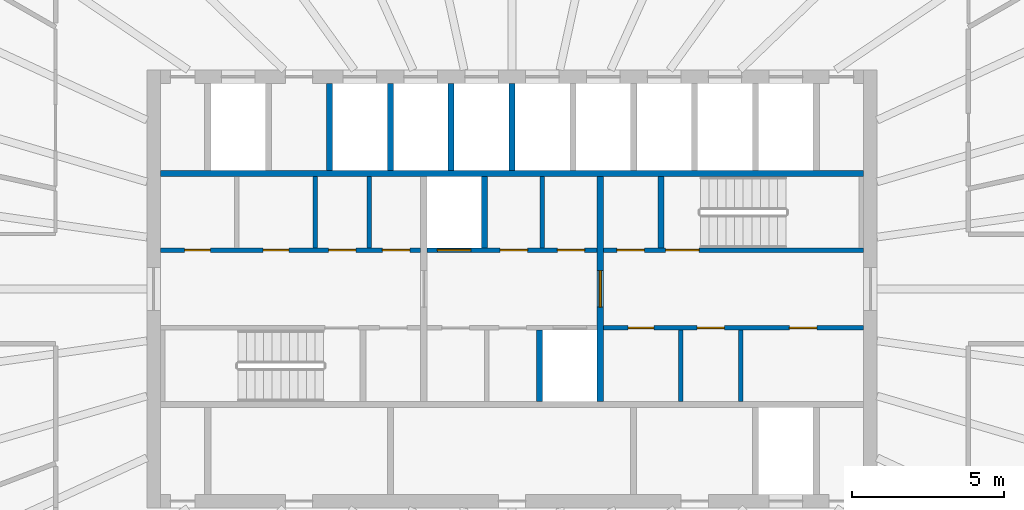
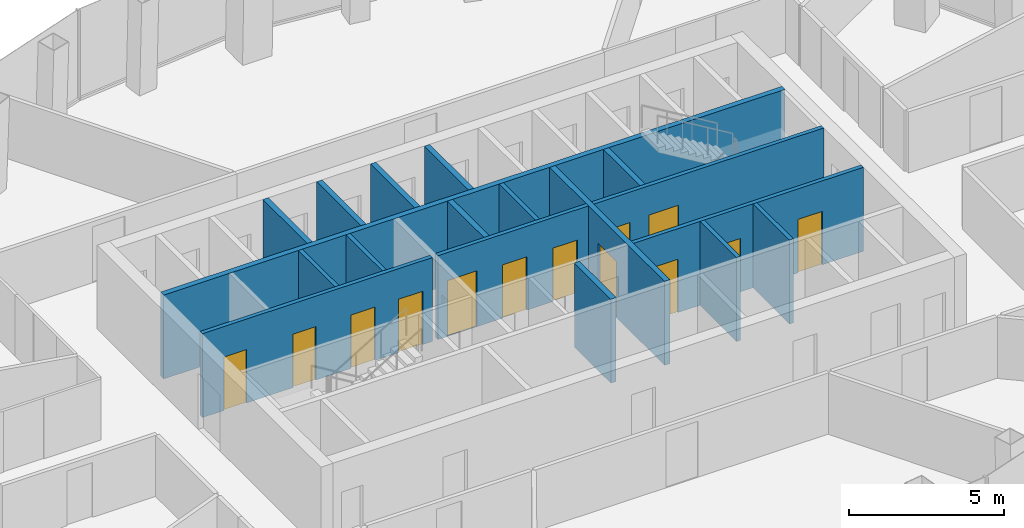
# One storey, part 10 of 13: 18 walls, 13 doors, 13 openings.
"""IFC4 building model written with IfcOpenShell, lengths in metres."""

from ifc_helpers import new_model, si_unit, direction, frame, frame_2d, origin, place, context, subcontext, project, spatial, rectangle, extrude, material, layer, layer_set, type_object, element, fill, save


model = new_model("IFC4")

# Units and contexts
model_context = context("Model", 3, precision=1e-05, world=origin(), true_north=direction((0.0, 1.0)))
body_context = subcontext(model_context, "Body", "Model", "MODEL_VIEW")
ifc_project = project(units=[si_unit("LENGTHUNIT", "METRE"), si_unit("AREAUNIT", "SQUARE_METRE"), si_unit("VOLUMEUNIT", "CUBIC_METRE"), si_unit("PLANEANGLEUNIT", "RADIAN"), si_unit("MASSUNIT", "GRAM", prefix="KILO")], contexts=[model_context])

# Site, building, storey
site_placement = place(None, origin())
site = spatial("IfcSite", under=ifc_project, at=site_placement, CompositionType="ELEMENT")
building_placement = place(site_placement, origin())
building = spatial("IfcBuilding", under=site, at=building_placement, Name="Siaravel Broadcast Tower", CompositionType="ELEMENT")
storey_placement = place(building_placement, frame((0.0, 0.0, 171.89990234375)))
storey = spatial("IfcBuildingStorey", under=building, at=storey_placement, Name="L41", CompositionType="ELEMENT", Elevation=171.89990234375)

# Walls
ifc_material_1 = material(Name="Concrete blockwork", Category="masonry")
ifc_layer_1 = layer(ifc_material_1, 0.14990234375)
ifc_layer_set_1 = layer_set([ifc_layer_1], Name="Concrete blockwork")
wall_type_1 = type_object("IfcWallType", Name="Core partition 150", PredefinedType="PARTITIONING", material=ifc_layer_set_1)
for number, where, z_axis, x_axis, name in (
    (1, (-6.465087890625, 1.35009765625, 0.0), (0.0, 0.0, 1.0), (0.0, 1.0, 0.0), "L41 core partition PNW1"),
    (2, (-4.695068359375, 1.35009765625, 0.0), (0.0, 0.0, 1.0), (0.0, 1.0, 0.0), "L41 core partition PNW2"),
    (3, (5.550048828125, -3.699951171875, 0.0), (0.0, 0.0, 1.0), (0.0, 1.0, 0.0), "L41 core partition PSE0"),
    (4, (7.514892578125, -3.699951171875, 0.0), (0.0, 0.0, 1.0), (0.0, 1.0, 0.0), "L41 core partition PSE1"),
    (5, (1.0, 1.35009765625, 0.0), (0.0, 0.0, 1.0), (0.0, 1.0, 0.0), "L41 core partition PNM0"),
):
    element("IfcWall", number, at=place(storey_placement, frame(where, z_axis=z_axis, x_axis=x_axis)), inside=storey, type_object=wall_type_1, Name=name, PredefinedType="PARTITIONING", context=body_context, shape_type="SweptSolid", body=[
        extrude(rectangle(XDim=2.349853515625, YDim=0.14990234375, at=frame_2d((1.1748046875, 0.0))), origin(), (0.0, 0.0, 1.0), 3.300048828125),
    ])

# Wall, openings, doors
ifc_material_2 = material(Name="Gypsum board partition", Category="gypsum")
ifc_layer_2 = layer(ifc_material_2, 0.14990234375)
ifc_layer_set_2 = layer_set([ifc_layer_2], Name="Gypsum board partition")
wall_type_2 = type_object("IfcWallType", Name="Corridor wall 150", PredefinedType="PARTITIONING", material=ifc_layer_set_2)
wall_1_placement = place(storey_placement, frame((3.0, -1.27490234375, 0.0), z_axis=(0.0, 0.0, 1.0), x_axis=(1.0, 0.0, 0.0)))
wall_1 = element("IfcWall", 6, at=wall_1_placement, inside=storey, type_object=wall_type_2, Name="L41 core partition CSE", PredefinedType="PARTITIONING", context=body_context, shape_type="SweptSolid", body=[
    extrude(rectangle(XDim=8.550048828125, YDim=0.14990234375, at=frame_2d((4.27490234375, 0.0))), origin(), (0.0, 0.0, 1.0), 3.300048828125),
])
opening_1_placement = place(wall_1_placement, frame((0.8125, 0.0, 0.0)))
opening_1 = element("IfcOpeningElement", 7, at=opening_1_placement, cuts=wall_1, Name="Opening L41-DSE0", PredefinedType="OPENING", context=body_context, shape_type="SweptSolid", body=[
    extrude(rectangle(XDim=0.85009765625, YDim=2.10009765625, at=frame_2d((0.425048828125, 1.050048828125))), frame((0.0, 0.0849609375, 0.0), z_axis=(0.0, -1.0, 0.0), x_axis=(1.0, 0.0, 0.0)), (0.0, 0.0, 1.0), 0.169921875),
])
opening_2_placement = place(wall_1_placement, frame((3.08251953125, 0.0, 0.0)))
opening_2 = element("IfcOpeningElement", 8, at=opening_2_placement, cuts=wall_1, Name="Opening L41-DSE1", PredefinedType="OPENING", context=body_context, shape_type="SweptSolid", body=[
    extrude(rectangle(XDim=0.89990234375, YDim=2.10009765625, at=frame_2d((0.449951171875, 1.050048828125))), frame((0.0, 0.0849609375, 0.0), z_axis=(0.0, -1.0, 0.0), x_axis=(1.0, 0.0, 0.0)), (0.0, 0.0, 1.0), 0.169921875),
])
opening_3_placement = place(wall_1_placement, frame((6.1201171875, 0.0, 0.0)))
opening_3 = element("IfcOpeningElement", 9, at=opening_3_placement, cuts=wall_1, Name="Opening L41-DSE2", PredefinedType="OPENING", context=body_context, shape_type="SweptSolid", body=[
    extrude(rectangle(XDim=0.89990234375, YDim=2.10009765625, at=frame_2d((0.449951171875, 1.050048828125))), frame((0.0, 0.0849609375, 0.0), z_axis=(0.0, -1.0, 0.0), x_axis=(1.0, 0.0, 0.0)), (0.0, 0.0, 1.0), 0.169921875),
])
ifc_material_3 = material(Name="Timber veneer", Category="wood")
door_type_1 = type_object("IfcDoorType", Name="Core room door 900", OperationType="SINGLE_SWING_LEFT", PredefinedType="DOOR", material=ifc_material_3)
door_1_placement = place(opening_2_placement, origin())
door_1 = element("IfcDoor", 10, at=door_1_placement, inside=storey, type_object=door_type_1, Name="L41 door DSE1", OperationType="SINGLE_SWING_LEFT", OverallHeight=2.10009765625, OverallWidth=0.89990234375, PredefinedType="DOOR", context=body_context, shape_type="SweptSolid", body=[
    extrude(rectangle(XDim=0.89990234375, YDim=2.10009765625, at=frame_2d((0.449951171875, 1.050048828125))), frame((0.0, 0.02490234375, 0.0), z_axis=(0.0, -1.0, 0.0), x_axis=(1.0, 0.0, 0.0)), (0.0, 0.0, 1.0), 0.050048828125),
])
fill(opening_2, door_1)
door_2_placement = place(opening_3_placement, origin())
door_2 = element("IfcDoor", 11, at=door_2_placement, inside=storey, type_object=door_type_1, Name="L41 door DSE2", OperationType="SINGLE_SWING_LEFT", OverallHeight=2.10009765625, OverallWidth=0.89990234375, PredefinedType="DOOR", context=body_context, shape_type="SweptSolid", body=[
    extrude(rectangle(XDim=0.89990234375, YDim=2.10009765625, at=frame_2d((0.449951171875, 1.050048828125))), frame((0.0, 0.02490234375, 0.0), z_axis=(0.0, -1.0, 0.0), x_axis=(1.0, 0.0, 0.0)), (0.0, 0.0, 1.0), 0.050048828125),
])
fill(opening_3, door_2)
door_type_2 = type_object("IfcDoorType", Name="Core toilet door 850", OperationType="SINGLE_SWING_LEFT", PredefinedType="DOOR", material=ifc_material_3)
door_3_placement = place(opening_1_placement, origin())
door_3 = element("IfcDoor", 12, at=door_3_placement, inside=storey, type_object=door_type_2, Name="L41 door DSE0", OperationType="SINGLE_SWING_LEFT", OverallHeight=2.10009765625, OverallWidth=0.85009765625, PredefinedType="DOOR", context=body_context, shape_type="SweptSolid", body=[
    extrude(rectangle(XDim=0.85009765625, YDim=2.10009765625, at=frame_2d((0.425048828125, 1.050048828125))), frame((0.0, 0.02490234375, 0.0), z_axis=(0.0, -1.0, 0.0), x_axis=(1.0, 0.0, 0.0)), (0.0, 0.0, 1.0), 0.050048828125),
])
fill(opening_1, door_3)

wall_2_placement = place(storey_placement, frame((-11.550048828125, 1.27490234375, 0.0), z_axis=(0.0, 0.0, 1.0), x_axis=(1.0, 0.0, 0.0)))
wall_2 = element("IfcWall", 13, at=wall_2_placement, inside=storey, type_object=wall_type_2, Name="L41 core partition CNW", PredefinedType="PARTITIONING", context=body_context, shape_type="SweptSolid", body=[
    extrude(rectangle(XDim=8.550048828125, YDim=0.14990234375, at=frame_2d((4.27490234375, 0.0))), origin(), (0.0, 0.0, 1.0), 3.300048828125),
])
opening_4_placement = place(wall_2_placement, frame((0.7900390625, 0.0, 0.0)))
opening_4 = element("IfcOpeningElement", 14, at=opening_4_placement, cuts=wall_2, Name="Opening L41-DNW0", PredefinedType="OPENING", context=body_context, shape_type="SweptSolid", body=[
    extrude(rectangle(XDim=0.85009765625, YDim=2.10009765625, at=frame_2d((0.425048828125, 1.050048828125))), frame((0.0, 0.0849609375, 0.0), z_axis=(0.0, -1.0, 0.0), x_axis=(1.0, 0.0, 0.0)), (0.0, 0.0, 1.0), 0.169921875),
])
opening_5_placement = place(wall_2_placement, frame((3.3701171875, 0.0, 0.0)))
opening_5 = element("IfcOpeningElement", 15, at=opening_5_placement, cuts=wall_2, Name="Opening L41-DNW1", PredefinedType="OPENING", context=body_context, shape_type="SweptSolid", body=[
    extrude(rectangle(XDim=0.85009765625, YDim=2.10009765625, at=frame_2d((0.425048828125, 1.050048828125))), frame((0.0, 0.0849609375, 0.0), z_axis=(0.0, -1.0, 0.0), x_axis=(1.0, 0.0, 0.0)), (0.0, 0.0, 1.0), 0.169921875),
])
opening_6_placement = place(wall_2_placement, frame((5.52001953125, 0.0, 0.0)))
opening_6 = element("IfcOpeningElement", 16, at=opening_6_placement, cuts=wall_2, Name="Opening L41-DNW2", PredefinedType="OPENING", context=body_context, shape_type="SweptSolid", body=[
    extrude(rectangle(XDim=0.89990234375, YDim=2.10009765625, at=frame_2d((0.449951171875, 1.050048828125))), frame((0.0, 0.0849609375, 0.0), z_axis=(0.0, -1.0, 0.0), x_axis=(1.0, 0.0, 0.0)), (0.0, 0.0, 1.0), 0.169921875),
])
opening_7_placement = place(wall_2_placement, frame((7.2900390625, 0.0, 0.0)))
opening_7 = element("IfcOpeningElement", 17, at=opening_7_placement, cuts=wall_2, Name="Opening L41-DNW3", PredefinedType="OPENING", context=body_context, shape_type="SweptSolid", body=[
    extrude(rectangle(XDim=0.89990234375, YDim=2.10009765625, at=frame_2d((0.449951171875, 1.050048828125))), frame((0.0, 0.0849609375, 0.0), z_axis=(0.0, -1.0, 0.0), x_axis=(1.0, 0.0, 0.0)), (0.0, 0.0, 1.0), 0.169921875),
])
door_4_placement = place(opening_6_placement, origin())
door_4 = element("IfcDoor", 18, at=door_4_placement, inside=storey, type_object=door_type_1, Name="L41 door DNW2", OperationType="SINGLE_SWING_LEFT", OverallHeight=2.10009765625, OverallWidth=0.89990234375, PredefinedType="DOOR", context=body_context, shape_type="SweptSolid", body=[
    extrude(rectangle(XDim=0.89990234375, YDim=2.10009765625, at=frame_2d((0.449951171875, 1.050048828125))), frame((0.0, 0.02490234375, 0.0), z_axis=(0.0, -1.0, 0.0), x_axis=(1.0, 0.0, 0.0)), (0.0, 0.0, 1.0), 0.050048828125),
])
fill(opening_6, door_4)
door_5_placement = place(opening_7_placement, origin())
door_5 = element("IfcDoor", 19, at=door_5_placement, inside=storey, type_object=door_type_1, Name="L41 door DNW3", OperationType="SINGLE_SWING_LEFT", OverallHeight=2.10009765625, OverallWidth=0.89990234375, PredefinedType="DOOR", context=body_context, shape_type="SweptSolid", body=[
    extrude(rectangle(XDim=0.89990234375, YDim=2.10009765625, at=frame_2d((0.449951171875, 1.050048828125))), frame((0.0, 0.02490234375, 0.0), z_axis=(0.0, -1.0, 0.0), x_axis=(1.0, 0.0, 0.0)), (0.0, 0.0, 1.0), 0.050048828125),
])
fill(opening_7, door_5)
door_6_placement = place(opening_4_placement, origin())
door_6 = element("IfcDoor", 20, at=door_6_placement, inside=storey, type_object=door_type_2, Name="L41 door DNW0", OperationType="SINGLE_SWING_LEFT", OverallHeight=2.10009765625, OverallWidth=0.85009765625, PredefinedType="DOOR", context=body_context, shape_type="SweptSolid", body=[
    extrude(rectangle(XDim=0.85009765625, YDim=2.10009765625, at=frame_2d((0.425048828125, 1.050048828125))), frame((0.0, 0.02490234375, 0.0), z_axis=(0.0, -1.0, 0.0), x_axis=(1.0, 0.0, 0.0)), (0.0, 0.0, 1.0), 0.050048828125),
])
fill(opening_4, door_6)
door_7_placement = place(opening_5_placement, origin())
door_7 = element("IfcDoor", 21, at=door_7_placement, inside=storey, type_object=door_type_2, Name="L41 door DNW1", OperationType="SINGLE_SWING_LEFT", OverallHeight=2.10009765625, OverallWidth=0.85009765625, PredefinedType="DOOR", context=body_context, shape_type="SweptSolid", body=[
    extrude(rectangle(XDim=0.85009765625, YDim=2.10009765625, at=frame_2d((0.425048828125, 1.050048828125))), frame((0.0, 0.02490234375, 0.0), z_axis=(0.0, -1.0, 0.0), x_axis=(1.0, 0.0, 0.0)), (0.0, 0.0, 1.0), 0.050048828125),
])
fill(opening_5, door_7)

ifc_material_4 = material(Name="Concrete C60/75", Category="concrete")
ifc_layer_3 = layer(ifc_material_4, 0.14990234375)
ifc_layer_set_3 = layer_set([ifc_layer_3], Name="Concrete C60/75")
wall_type_3 = type_object("IfcWallType", Name="Shaft wall 150", PredefinedType="SHEAR", material=ifc_layer_set_3)
wall_3_placement = place(storey_placement, frame((-2.800048828125, 1.27490234375, 0.0), z_axis=(0.0, 0.0, 1.0), x_axis=(1.0, 0.0, 0.0)))
wall_3 = element("IfcWall", 22, at=wall_3_placement, inside=storey, type_object=wall_type_3, Name="L41 core wall CNM", PredefinedType="SHEAR", context=body_context, shape_type="SweptSolid", body=[
    extrude(rectangle(XDim=5.60009765625, YDim=0.14990234375, at=frame_2d((2.800048828125, 0.0))), origin(), (0.0, 0.0, 1.0), 3.300048828125),
])
opening_8_placement = place(wall_3_placement, frame((0.35009765625, 0.0, 0.0)))
opening_8 = element("IfcOpeningElement", 23, at=opening_8_placement, cuts=wall_3, Name="Opening LD-FL1-L41", PredefinedType="OPENING", context=body_context, shape_type="SweptSolid", body=[
    extrude(rectangle(XDim=1.10009765625, YDim=2.199951171875, at=frame_2d((0.550048828125, 1.10009765625))), frame((0.0, 0.0849609375, 0.0), z_axis=(0.0, -1.0, 0.0), x_axis=(1.0, 0.0, 0.0)), (0.0, 0.0, 1.0), 0.169921875),
])
opening_9_placement = place(wall_3_placement, frame((2.41259765625, 0.0, 0.0)))
opening_9 = element("IfcOpeningElement", 24, at=opening_9_placement, cuts=wall_3, Name="Opening L41-DNM0", PredefinedType="OPENING", context=body_context, shape_type="SweptSolid", body=[
    extrude(rectangle(XDim=0.89990234375, YDim=2.10009765625, at=frame_2d((0.449951171875, 1.050048828125))), frame((0.0, 0.0849609375, 0.0), z_axis=(0.0, -1.0, 0.0), x_axis=(1.0, 0.0, 0.0)), (0.0, 0.0, 1.0), 0.169921875),
])
opening_10_placement = place(wall_3_placement, frame((4.28759765625, 0.0, 0.0)))
opening_10 = element("IfcOpeningElement", 25, at=opening_10_placement, cuts=wall_3, Name="Opening L41-DNM1", PredefinedType="OPENING", context=body_context, shape_type="SweptSolid", body=[
    extrude(rectangle(XDim=0.89990234375, YDim=2.10009765625, at=frame_2d((0.449951171875, 1.050048828125))), frame((0.0, 0.0849609375, 0.0), z_axis=(0.0, -1.0, 0.0), x_axis=(1.0, 0.0, 0.0)), (0.0, 0.0, 1.0), 0.169921875),
])
door_8_placement = place(opening_9_placement, origin())
door_8 = element("IfcDoor", 26, at=door_8_placement, inside=storey, type_object=door_type_1, Name="L41 door DNM0", OperationType="SINGLE_SWING_LEFT", OverallHeight=2.10009765625, OverallWidth=0.89990234375, PredefinedType="DOOR", context=body_context, shape_type="SweptSolid", body=[
    extrude(rectangle(XDim=0.89990234375, YDim=2.10009765625, at=frame_2d((0.449951171875, 1.050048828125))), frame((0.0, 0.02490234375, 0.0), z_axis=(0.0, -1.0, 0.0), x_axis=(1.0, 0.0, 0.0)), (0.0, 0.0, 1.0), 0.050048828125),
])
fill(opening_9, door_8)
door_9_placement = place(opening_10_placement, origin())
door_9 = element("IfcDoor", 27, at=door_9_placement, inside=storey, type_object=door_type_1, Name="L41 door DNM1", OperationType="SINGLE_SWING_LEFT", OverallHeight=2.10009765625, OverallWidth=0.89990234375, PredefinedType="DOOR", context=body_context, shape_type="SweptSolid", body=[
    extrude(rectangle(XDim=0.89990234375, YDim=2.10009765625, at=frame_2d((0.449951171875, 1.050048828125))), frame((0.0, 0.02490234375, 0.0), z_axis=(0.0, -1.0, 0.0), x_axis=(1.0, 0.0, 0.0)), (0.0, 0.0, 1.0), 0.050048828125),
])
fill(opening_10, door_9)
ifc_material_5 = material(Name="Stainless steel 316L", Category="steel")
door_type_3 = type_object("IfcDoorType", Name="Firefighting lift landing door 1100", OperationType="DOUBLE_DOOR_SLIDING", PredefinedType="DOOR", material=ifc_material_5)
door_10_placement = place(opening_8_placement, origin())
door_10 = element("IfcDoor", 28, at=door_10_placement, inside=storey, type_object=door_type_3, Name="Landing door FL1 L41", OperationType="DOUBLE_DOOR_SLIDING", OverallHeight=2.199951171875, OverallWidth=1.10009765625, PredefinedType="DOOR", context=body_context, shape_type="SweptSolid", body=[
    extrude(rectangle(XDim=1.10009765625, YDim=2.199951171875, at=frame_2d((0.550048828125, 1.10009765625))), frame((0.0, 0.02490234375, 0.0), z_axis=(0.0, -1.0, 0.0), x_axis=(1.0, 0.0, 0.0)), (0.0, 0.0, 1.0), 0.050048828125),
])
fill(opening_8, door_10)

wall_4_placement = place(storey_placement, frame((3.0, 1.27490234375, 0.0), z_axis=(0.0, 0.0, 1.0), x_axis=(1.0, 0.0, 0.0)))
wall_4 = element("IfcWall", 29, at=wall_4_placement, inside=storey, type_object=wall_type_3, Name="L41 core wall CNE", PredefinedType="SHEAR", context=body_context, shape_type="SweptSolid", body=[
    extrude(rectangle(XDim=8.550048828125, YDim=0.14990234375, at=frame_2d((4.27490234375, 0.0))), origin(), (0.0, 0.0, 1.0), 3.300048828125),
])
opening_11_placement = place(wall_4_placement, frame((2.050048828125, 0.0, 0.0)))
opening_11 = element("IfcOpeningElement", 30, at=opening_11_placement, cuts=wall_4, Name="Opening L41-DS-2", PredefinedType="OPENING", context=body_context, shape_type="SweptSolid", body=[
    extrude(rectangle(XDim=1.10009765625, YDim=2.14990234375, at=frame_2d((0.550048828125, 1.074951171875))), frame((0.0, 0.0849609375, 0.0), z_axis=(0.0, -1.0, 0.0), x_axis=(1.0, 0.0, 0.0)), (0.0, 0.0, 1.0), 0.169921875),
])
opening_12_placement = place(wall_4_placement, frame((0.449951171875, 0.0, 0.0)))
opening_12 = element("IfcOpeningElement", 31, at=opening_12_placement, cuts=wall_4, Name="Opening L41-DNE0", PredefinedType="OPENING", context=body_context, shape_type="SweptSolid", body=[
    extrude(rectangle(XDim=0.89990234375, YDim=2.10009765625, at=frame_2d((0.449951171875, 1.050048828125))), frame((0.0, 0.0849609375, 0.0), z_axis=(0.0, -1.0, 0.0), x_axis=(1.0, 0.0, 0.0)), (0.0, 0.0, 1.0), 0.169921875),
])
door_11_placement = place(opening_12_placement, origin())
door_11 = element("IfcDoor", 32, at=door_11_placement, inside=storey, type_object=door_type_1, Name="L41 door DNE0", OperationType="SINGLE_SWING_LEFT", OverallHeight=2.10009765625, OverallWidth=0.89990234375, PredefinedType="DOOR", context=body_context, shape_type="SweptSolid", body=[
    extrude(rectangle(XDim=0.89990234375, YDim=2.10009765625, at=frame_2d((0.449951171875, 1.050048828125))), frame((0.0, 0.02490234375, 0.0), z_axis=(0.0, -1.0, 0.0), x_axis=(1.0, 0.0, 0.0)), (0.0, 0.0, 1.0), 0.050048828125),
])
fill(opening_12, door_11)
ifc_material_6 = material(Name="Steel", Category="steel")
door_type_4 = type_object("IfcDoorType", Name="Stair door 1100", OperationType="SINGLE_SWING_LEFT", PredefinedType="DOOR", material=ifc_material_6)
door_12_placement = place(opening_11_placement, origin())
door_12 = element("IfcDoor", 33, at=door_12_placement, inside=storey, type_object=door_type_4, Name="L41 door DS-2", OperationType="SINGLE_SWING_LEFT", OverallHeight=2.14990234375, OverallWidth=1.10009765625, PredefinedType="DOOR", context=body_context, shape_type="SweptSolid", body=[
    extrude(rectangle(XDim=1.10009765625, YDim=2.14990234375, at=frame_2d((0.550048828125, 1.074951171875))), frame((0.0, 0.02490234375, 0.0), z_axis=(0.0, -1.0, 0.0), x_axis=(1.0, 0.0, 0.0)), (0.0, 0.0, 1.0), 0.050048828125),
])
fill(opening_11, door_12)

# Walls
ifc_layer_4 = layer(ifc_material_4, 0.199951171875)
ifc_layer_set_4 = layer_set([ifc_layer_4], Name="Concrete C60/75")
wall_type_4 = type_object("IfcWallType", Name="Shaft wall 200", PredefinedType="SHEAR", material=ifc_layer_set_4)
wall_5_placement = place(storey_placement, frame((-11.550048828125, 3.800048828125, 0.0), z_axis=(0.0, 0.0, 1.0), x_axis=(1.0, 0.0, 0.0)))
element("IfcWall", 34, at=wall_5_placement, inside=storey, type_object=wall_type_4, Name="L41 core wall BN", PredefinedType="SHEAR", context=body_context, shape_type="SweptSolid", body=[
    extrude(rectangle(XDim=23.10009765625, YDim=0.199951171875, at=frame_2d((11.550048828125, 0.0))), origin(), (0.0, 0.0, 1.0), 3.300048828125),
])
for number, where, z_axis, x_axis, name in (
    (35, (-6.0, 3.89990234375, 0.0), (0.0, 0.0, 1.0), (0.0, 1.0, 0.0), "L41 core wall SWN2"),
    (36, (-4.0, 3.89990234375, 0.0), (0.0, 0.0, 1.0), (0.0, 1.0, 0.0), "L41 core wall SWN3"),
    (37, (-2.0, 3.89990234375, 0.0), (0.0, 0.0, 1.0), (0.0, 1.0, 0.0), "L41 core wall SWN4"),
    (38, (0.0, 3.89990234375, 0.0), (0.0, 0.0, 1.0), (0.0, 1.0, 0.0), "L41 core wall SWN5"),
):
    element("IfcWall", number, at=place(storey_placement, frame(where, z_axis=z_axis, x_axis=x_axis)), inside=storey, type_object=wall_type_4, Name=name, PredefinedType="SHEAR", context=body_context, shape_type="SweptSolid", body=[
        extrude(rectangle(XDim=2.85009765625, YDim=0.199951171875, at=frame_2d((1.425048828125, 0.0))), origin(), (0.0, 0.0, 1.0), 3.300048828125),
    ])

# Wall, opening, door
wall_6_placement = place(storey_placement, frame((2.89990234375, -3.699951171875, 0.0), z_axis=(0.0, 0.0, 1.0), x_axis=(0.0, 1.0, 0.0)))
wall_6 = element("IfcWall", 39, at=wall_6_placement, inside=storey, type_object=wall_type_4, Name="L41 core wall LE", PredefinedType="SHEAR", context=body_context, shape_type="SweptSolid", body=[
    extrude(rectangle(XDim=7.39990234375, YDim=0.199951171875, at=frame_2d((3.699951171875, 0.0))), origin(), (0.0, 0.0, 1.0), 3.300048828125),
])
opening_13_placement = place(wall_6_placement, frame((3.10009765625, 0.0, 0.0)))
opening_13 = element("IfcOpeningElement", 40, at=opening_13_placement, cuts=wall_6, Name="Opening L41-DL-E", PredefinedType="OPENING", context=body_context, shape_type="SweptSolid", body=[
    extrude(rectangle(XDim=1.199951171875, YDim=2.199951171875, at=frame_2d((0.60009765625, 1.10009765625))), frame((0.0, 0.10986328125, 0.0), z_axis=(0.0, -1.0, 0.0), x_axis=(1.0, 0.0, 0.0)), (0.0, 0.0, 1.0), 0.219970703125),
])
door_type_5 = type_object("IfcDoorType", Name="Firefighting lobby door 1200", OperationType="SINGLE_SWING_LEFT", PredefinedType="DOOR", material=ifc_material_6)
door_13_placement = place(opening_13_placement, origin())
door_13 = element("IfcDoor", 41, at=door_13_placement, inside=storey, type_object=door_type_5, Name="L41 door DL-E", OperationType="SINGLE_SWING_LEFT", OverallHeight=2.199951171875, OverallWidth=1.199951171875, PredefinedType="DOOR", context=body_context, shape_type="SweptSolid", body=[
    extrude(rectangle(XDim=1.199951171875, YDim=2.199951171875, at=frame_2d((0.60009765625, 1.10009765625))), frame((0.0, 0.02490234375, 0.0), z_axis=(0.0, -1.0, 0.0), x_axis=(1.0, 0.0, 0.0)), (0.0, 0.0, 1.0), 0.050048828125),
])
fill(opening_13, door_13)

# Walls
for number, where, z_axis, x_axis, name in (
    (42, (-0.89990234375, 1.35009765625, 0.0), (0.0, 0.0, 1.0), (0.0, 1.0, 0.0), "L41 core wall FF1E"),
    (43, (0.89990234375, -3.699951171875, 0.0), (0.0, 0.0, 1.0), (0.0, 1.0, 0.0), "L41 core wall FF2W"),
    (44, (4.89990234375, 1.35009765625, 0.0), (0.0, 0.0, 1.0), (0.0, 1.0, 0.0), "L41 core wall ST2W"),
):
    element("IfcWall", number, at=place(storey_placement, frame(where, z_axis=z_axis, x_axis=x_axis)), inside=storey, type_object=wall_type_4, Name=name, PredefinedType="SHEAR", context=body_context, shape_type="SweptSolid", body=[
        extrude(rectangle(XDim=2.349853515625, YDim=0.199951171875, at=frame_2d((1.1748046875, 0.0))), origin(), (0.0, 0.0, 1.0), 3.300048828125),
    ])

save(model, "model.ifc")
